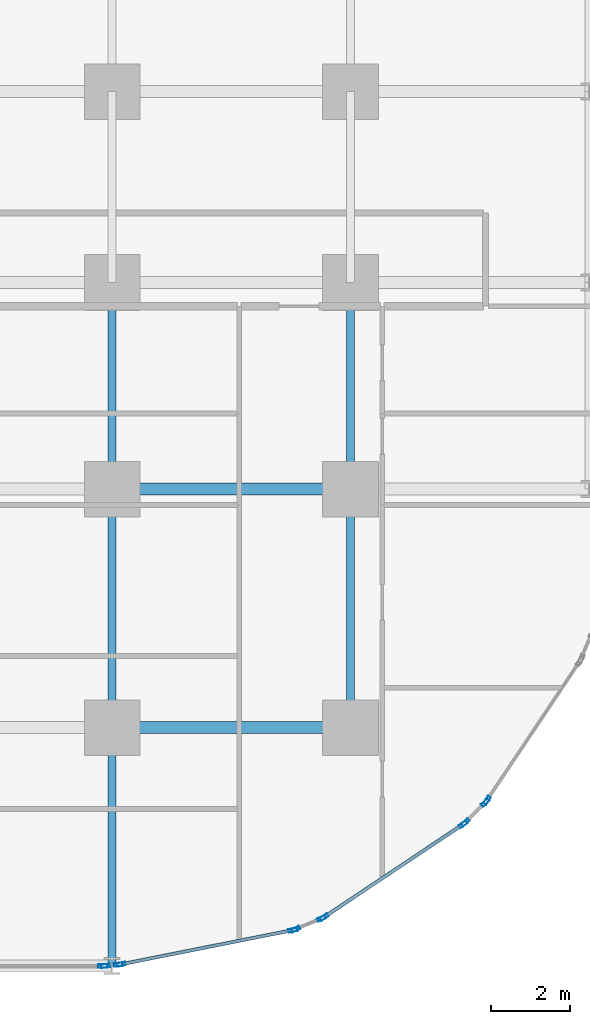
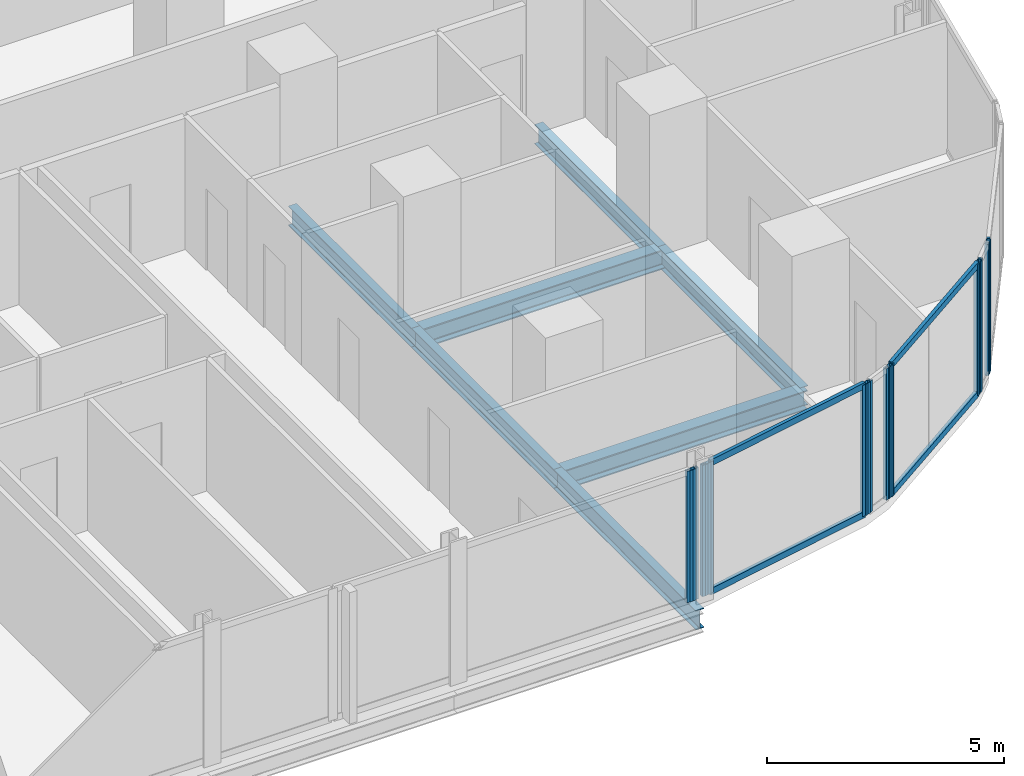
# One storey, part 9 of 34: 16 members, 7 beams, 7 elements without a shape of their own.
"""IFC4 building model written with IfcOpenShell, lengths in metres."""

import ifcopenshell
import ifcopenshell.guid

model = None  # the IFC model being written
_history = None  # IfcOwnerHistory: only IFC2X3 demands one
_inside = {}  # id of a spatial element -> (the spatial element, [elements in it])
_under = {}  # id of a project, library or spatial element -> (it, [spatial elements below it])
_declared = {}  # id of a project -> (the project, [libraries it declares])
_typed = {}  # id of a type object -> (the type object, [elements of that type])
_made_of = {}  # id of a material, layer set ... -> (it, [elements and type objects made of it])


def new_model(schema):
    """Start an empty IFC model of exactly this schema.

    Asked for "IFC4X3", IfcOpenShell would pick the latest addendum, in which some entities
    have other attributes; the version numbers below select the first issue.
    IFC2X3 requires an IfcOwnerHistory on every rooted entity: one is made here for all.
    """
    global model, _history
    if schema == "IFC4X3":
        model = ifcopenshell.file(schema_version=(4, 3, 0, 0))
    else:
        model = ifcopenshell.file(schema=schema)
    _inside.clear()
    _under.clear()
    _declared.clear()
    _typed.clear()
    _made_of.clear()
    _history = None
    if model.schema == "IFC2X3":
        org = make("IfcOrganization", Name="unknown")
        user = make(
            "IfcPersonAndOrganization",
            ThePerson=make("IfcPerson", FamilyName="unknown"),
            TheOrganization=org,
        )
        app = make(
            "IfcApplication",
            ApplicationDeveloper=org,
            Version="unknown",
            ApplicationFullName="unknown",
            ApplicationIdentifier="unknown",
        )
        _history = make(
            "IfcOwnerHistory",
            OwningUser=user,
            OwningApplication=app,
            ChangeAction="ADDED",
            CreationDate=0,
        )
    return model


def make(cls, **values):
    """One entity of the class cls with the attributes given. An attribute that is None is left unset."""
    return model.create_entity(
        cls, **{name: value for name, value in values.items() if value is not None}
    )


def rooted(cls, **values):
    """An entity with a GlobalId (a new one), such as an element, a storey or a relation."""
    return make(cls, GlobalId=ifcopenshell.guid.new(), OwnerHistory=_history, **values)


def si_unit(unit_type, name, prefix=None):
    """IfcSIUnit, for example si_unit("LENGTHUNIT", "METRE", prefix="MILLI")."""
    return make("IfcSIUnit", UnitType=unit_type, Prefix=prefix, Name=name)


def assignment(units):
    """IfcUnitAssignment: the units of a project."""
    return None if units is None else make("IfcUnitAssignment", Units=units)


def point(xyz):
    """IfcCartesianPoint."""
    return None if xyz is None else make("IfcCartesianPoint", Coordinates=xyz)


def direction(xyz):
    """IfcDirection."""
    return None if xyz is None else make("IfcDirection", DirectionRatios=xyz)


def frame(location, z_axis=None, x_axis=None):
    """IfcAxis2Placement3D, a coordinate frame: its origin and axes. An axis left out is left unset."""
    return make(
        "IfcAxis2Placement3D",
        Location=point(location),
        Axis=direction(z_axis),
        RefDirection=direction(x_axis),
    )


def frame_2d(location, x_axis=None):
    """IfcAxis2Placement2D, a coordinate frame in the plane: its origin and x axis."""
    return make(
        "IfcAxis2Placement2D", Location=point(location), RefDirection=direction(x_axis)
    )


def origin():
    """The frame at (0, 0, 0) with its axes left unset."""
    return frame((0.0, 0.0, 0.0))


def origin_2d():
    """The frame at (0, 0) in the plane with its x axis left unset."""
    return frame_2d((0.0, 0.0))


def place(relative_to, where):
    """IfcLocalPlacement: puts the frame where relative to a parent placement (None: the world)."""
    return make(
        "IfcLocalPlacement", PlacementRelTo=relative_to, RelativePlacement=where
    )


def context(
    kind, dimensions, precision=None, world=None, true_north=None, identifier=None
):
    """IfcGeometricRepresentationContext, for example the 3D "Model" context."""
    return make(
        "IfcGeometricRepresentationContext",
        ContextIdentifier=identifier,
        ContextType=kind,
        CoordinateSpaceDimension=dimensions,
        Precision=precision,
        WorldCoordinateSystem=world,
        TrueNorth=true_north,
    )


def subcontext(parent, identifier, kind, view, scale=None):
    """IfcGeometricRepresentationSubContext, for example "Body" below "Model"."""
    return make(
        "IfcGeometricRepresentationSubContext",
        ContextIdentifier=identifier,
        ContextType=kind,
        ParentContext=parent,
        TargetScale=scale,
        TargetView=view,
    )


def project(units=None, contexts=None):
    """IfcProject with its units and contexts."""
    return rooted(
        "IfcProject",
        Name="project",
        RepresentationContexts=contexts,
        UnitsInContext=assignment(units),
    )


def spatial(cls, under=None, at=None, **own):
    """A site, building, storey or space (cls), placed at a placement, below another one or the project."""
    s = rooted(cls, ObjectPlacement=at, **own)
    if under is not None:
        _under.setdefault(under.id(), (under, []))[1].append(s)
    return s


def profile(cls, at=None, kind="AREA", **sizes):
    """A parametric profile (cls). Its sizes go by their IFC names, for example OverallWidth=200.0."""
    return make(cls, ProfileType=kind, Position=at, **sizes)


def hollow_rectangle(**sizes):
    """IfcRectangleHollowProfileDef."""
    return profile("IfcRectangleHollowProfileDef", **sizes)


def i_section(**sizes):
    """IfcIShapeProfileDef."""
    return profile("IfcIShapeProfileDef", **sizes)


def extrude(swept, where, along, depth):
    """IfcExtrudedAreaSolid: the profile swept, set in the frame where, extruded along a direction by depth."""
    return make(
        "IfcExtrudedAreaSolid",
        SweptArea=swept,
        Position=where,
        ExtrudedDirection=direction(along),
        Depth=depth,
    )


def shape(context_of_items, identifier, shape_type, items):
    """IfcShapeRepresentation: the items that make up one representation, for example the "Body"."""
    return make(
        "IfcShapeRepresentation",
        ContextOfItems=context_of_items,
        RepresentationIdentifier=identifier,
        RepresentationType=shape_type,
        Items=items,
    )


def material(Name=None, Category=None):
    """IfcMaterial."""
    return make("IfcMaterial", Name=Name, Category=Category)


def layer(
    of_material, thickness, ventilated=None, Name=None, Category=None, Priority=None
):
    """IfcMaterialLayer: one layer of a wall or slab, of a material (None: an air gap)."""
    return make(
        "IfcMaterialLayer",
        Material=of_material,
        LayerThickness=thickness,
        IsVentilated=ventilated,
        Name=Name,
        Category=Category,
        Priority=Priority,
    )


def layer_set(layers, Name=None):
    """IfcMaterialLayerSet."""
    return make("IfcMaterialLayerSet", MaterialLayers=layers, LayerSetName=Name)


def material_profile(
    of_material, cross_section, Name=None, Category=None, Priority=None
):
    """IfcMaterialProfile: a cross section and its material."""
    return make(
        "IfcMaterialProfile",
        Name=Name,
        Material=of_material,
        Profile=cross_section,
        Priority=Priority,
        Category=Category,
    )


def profile_set(profiles, Name=None, composite=None):
    """IfcMaterialProfileSet."""
    return make(
        "IfcMaterialProfileSet",
        Name=Name,
        MaterialProfiles=profiles,
        CompositeProfile=composite,
    )


def made_of(thing, what):
    """Note that an element or type object is made of a material, layer set ...; save() writes the relation."""
    if what is not None:
        _made_of.setdefault(what.id(), (what, []))[1].append(thing)
    return thing


def type_object(cls, material=None, **own):
    """A type object (cls), such as IfcWallType, which elements share."""
    return made_of(rooted(cls, **own), material)


def element(
    cls,
    number,
    at=None,
    inside=None,
    cuts=None,
    type_object=None,
    material=None,
    context=None,
    identifier="Body",
    shape_type=None,
    held_by="IfcProductDefinitionShape",
    body=None,
    shapes=None,
    **own,
):
    """One element of the class cls, such as IfcWall. Its Tag is "e" and its number.

    at: its placement. inside: the storey or other place that contains it. cuts: it is an
    opening in that element (IfcRelVoidsElement). A single representation is given by context,
    identifier, shape_type and body (its items); several are given by shapes. held_by: the class
    of the entity that holds the representations. save() writes the other relations.
    """
    e = rooted(cls, Tag="e%d" % number, ObjectPlacement=at, **own)
    if body is not None:
        shapes = [shape(context, identifier, shape_type, body)]
    if shapes is not None:
        e.Representation = make(held_by, Representations=shapes)
    if inside is not None:
        _inside.setdefault(inside.id(), (inside, []))[1].append(e)
    if cuts is not None:
        rooted(
            "IfcRelVoidsElement", RelatingBuildingElement=cuts, RelatedOpeningElement=e
        )
    if type_object is not None:
        _typed.setdefault(type_object.id(), (type_object, []))[1].append(e)
    return made_of(e, material)


def aggregate(whole, parts):
    """IfcRelAggregates: a whole, such as a stair, and the parts it consists of."""
    return rooted("IfcRelAggregates", RelatingObject=whole, RelatedObjects=parts)


def save(model, path):
    """Write the relations noted so far, then the file.

    IfcRelAggregates (storeys below a building ...), IfcRelContainedInSpatialStructure (elements
    in a storey), IfcRelDefinesByType, IfcRelAssociatesMaterial and IfcRelDeclares: one each for
    every whole, place, type object, material and project.
    """
    for whole, parts in _under.values():
        aggregate(whole, parts)
    for where, things in _inside.values():
        rooted(
            "IfcRelContainedInSpatialStructure",
            RelatedElements=things,
            RelatingStructure=where,
        )
    for kind, things in _typed.values():
        rooted("IfcRelDefinesByType", RelatedObjects=things, RelatingType=kind)
    for what, things in _made_of.values():
        rooted("IfcRelAssociatesMaterial", RelatedObjects=things, RelatingMaterial=what)
    for by, libraries in _declared.values():
        rooted("IfcRelDeclares", RelatingContext=by, RelatedDefinitions=libraries)
    model.write(path)


model = new_model("IFC4")

# Units and contexts
model_context = context("Model", 3, precision=1e-05, world=origin(), true_north=direction((0.0, 1.0)))
body_context = subcontext(model_context, "Body", "Model", "MODEL_VIEW")
ifc_project = project(units=[si_unit("LENGTHUNIT", "METRE"), si_unit("AREAUNIT", "SQUARE_METRE"), si_unit("VOLUMEUNIT", "CUBIC_METRE"), si_unit("PLANEANGLEUNIT", "RADIAN"), si_unit("MASSUNIT", "GRAM", prefix="KILO")], contexts=[model_context])

# Site, building, storey
site_placement = place(None, origin())
site = spatial("IfcSite", under=ifc_project, at=site_placement, CompositionType="ELEMENT")
building_placement = place(site_placement, origin())
building = spatial("IfcBuilding", under=site, at=building_placement, Name="Keshet Zoharim Tower", CompositionType="ELEMENT")
storey_placement = place(building_placement, frame((0.0, 0.0, 31.39990234375)))
storey = spatial("IfcBuildingStorey", under=building, at=storey_placement, Name="L06", CompositionType="ELEMENT", Elevation=31.39990234375)

# Beams
ifc_material_1 = material(Name="Steel S355", Category="steel")
ifc_material_profile_1 = material_profile(ifc_material_1, i_section(OverallWidth=0.199951171875, OverallDepth=0.5, WebThickness=0.01025390625, FlangeThickness=0.01611328125, FilletRadius=0.02099609375, at=origin_2d()), Name="IPE500")
ifc_profile_set_1 = profile_set([ifc_material_profile_1], Name="Steel S355")
beam_type_1 = type_object("IfcBeamType", Name="BM-PRI-IP500", PredefinedType="BEAM", material=ifc_profile_set_1)
for number, where, z_axis, x_axis, name in (
    (1, (57.0, 0.699951171875, -0.56494140625), (0.0, 1.0, 0.0), (-1.0, 0.0, 0.0), "L06 Primary Girder Y-013"),
    (2, (57.0, 6.699951171875, -0.56494140625), (0.0, 1.0, 0.0), (-1.0, 0.0, 0.0), "L06 Primary Girder Y-014"),
):
    element("IfcBeam", number, at=place(storey_placement, frame(where, z_axis=z_axis, x_axis=x_axis)), inside=storey, type_object=beam_type_1, Name=name, PredefinedType="BEAM", context=body_context, shape_type="SweptSolid", body=[
        extrude(i_section(OverallWidth=0.199951171875, OverallDepth=0.5, WebThickness=0.01025390625, FlangeThickness=0.01611328125, FilletRadius=0.02099609375, at=origin_2d()), origin(), (0.0, 0.0, 1.0), 6.0),
    ])
beam_1_placement = place(storey_placement, frame((57.0, 12.699951171875, -0.56494140625), z_axis=(0.0, 1.0, 0.0), x_axis=(-1.0, 0.0, 0.0)))
element("IfcBeam", 3, at=beam_1_placement, inside=storey, type_object=beam_type_1, Name="L06 Primary Girder Y-015", PredefinedType="BEAM", context=body_context, shape_type="SweptSolid", body=[
    extrude(i_section(OverallWidth=0.199951171875, OverallDepth=0.5, WebThickness=0.01025390625, FlangeThickness=0.01611328125, FilletRadius=0.02099609375, at=origin_2d()), origin(), (0.0, 0.0, 1.0), 5.199951171875),
])
beam_2_placement = place(storey_placement, frame((63.0, 6.699951171875, -0.56494140625), z_axis=(0.0, 1.0, 0.0), x_axis=(-1.0, 0.0, 0.0)))
element("IfcBeam", 4, at=beam_2_placement, inside=storey, type_object=beam_type_1, Name="L06 Primary Girder Y-018", PredefinedType="BEAM", context=body_context, shape_type="SweptSolid", body=[
    extrude(i_section(OverallWidth=0.199951171875, OverallDepth=0.5, WebThickness=0.01025390625, FlangeThickness=0.01611328125, FilletRadius=0.02099609375, at=origin_2d()), origin(), (0.0, 0.0, 1.0), 6.0),
])
beam_3_placement = place(storey_placement, frame((63.0, 12.699951171875, -0.56494140625), z_axis=(0.0, 1.0, 0.0), x_axis=(-1.0, 0.0, 0.0)))
element("IfcBeam", 5, at=beam_3_placement, inside=storey, type_object=beam_type_1, Name="L06 Primary Girder Y-019", PredefinedType="BEAM", context=body_context, shape_type="SweptSolid", body=[
    extrude(i_section(OverallWidth=0.199951171875, OverallDepth=0.5, WebThickness=0.01025390625, FlangeThickness=0.01611328125, FilletRadius=0.02099609375, at=origin_2d()), origin(), (0.0, 0.0, 1.0), 5.199951171875),
])
ifc_material_profile_2 = material_profile(ifc_material_1, i_section(OverallWidth=0.300048828125, OverallDepth=0.5, WebThickness=0.014404296875, FlangeThickness=0.028076171875, FilletRadius=0.027099609375, at=origin_2d()), Name="HEB500")
ifc_profile_set_2 = profile_set([ifc_material_profile_2], Name="Steel S355")
beam_type_2 = type_object("IfcBeamType", Name="BM-WEB-HB500", PredefinedType="BEAM", material=ifc_profile_set_2)
for number, where, z_axis, x_axis, name in (
    (6, (57.0, 6.699951171875, -0.56494140625), (1.0, 0.0, 0.0), (0.0, 1.0, 0.0), "L06 Primary Girder X-010"),
    (7, (57.0, 12.699951171875, -0.56494140625), (1.0, 0.0, 0.0), (0.0, 1.0, 0.0), "L06 Primary Girder X-013"),
):
    element("IfcBeam", number, at=place(storey_placement, frame(where, z_axis=z_axis, x_axis=x_axis)), inside=storey, type_object=beam_type_2, Name=name, PredefinedType="BEAM", context=body_context, shape_type="SweptSolid", body=[
        extrude(i_section(OverallWidth=0.300048828125, OverallDepth=0.5, WebThickness=0.014404296875, FlangeThickness=0.028076171875, FilletRadius=0.027099609375, at=origin_2d()), origin(), (0.0, 0.0, 1.0), 6.0),
    ])

# Curtain wall, member
ifc_material_2 = material(Name="Aluminium 6063-T6", Category="aluminium")
ifc_layer = layer(ifc_material_2, 0.179931640625)
ifc_layer_set = layer_set([ifc_layer], Name="Aluminium 6063-T6")
curtain_wall_type = type_object("IfcCurtainWallType", Name="CW-SYS-01", PredefinedType="NOTDEFINED", material=ifc_layer_set)
curtain_wall_1_placement = place(storey_placement, origin())
curtain_wall_1 = element("IfcCurtainWall", 8, at=curtain_wall_1_placement, inside=storey, type_object=curtain_wall_type, Name="L06 Unitised Curtain Wall 20", PredefinedType="NOTDEFINED")
ifc_material_profile_3 = material_profile(ifc_material_2, hollow_rectangle(XDim=0.090087890625, YDim=0.219970703125, WallThickness=0.0048828125, at=origin_2d()), Name="MUL-90x220")
ifc_profile_set_3 = profile_set([ifc_material_profile_3], Name="Aluminium 6063-T6")
member_type_1 = type_object("IfcMemberType", Name="CWM-M22", PredefinedType="MULLION", material=ifc_profile_set_3)
member_1_placement = place(storey_placement, frame((66.432373046875, 4.8671875, 0.0), z_axis=(0.0, 0.0, 1.0), x_axis=(0.831474282335, -0.555563243758, 0.0)))
member_1 = element("IfcMember", 9, at=member_1_placement, type_object=member_type_1, Name="CW-01 mullion 2", PredefinedType="MULLION", context=body_context, shape_type="SweptSolid", body=[
    extrude(hollow_rectangle(XDim=0.090087890625, YDim=0.219970703125, WallThickness=0.0048828125, at=origin_2d()), origin(), (0.0, 0.0, 1.0), 3.385009765625),
])
aggregate(curtain_wall_1, [member_1])

# Curtain wall, members
curtain_wall_2_placement = place(storey_placement, origin())
curtain_wall_2 = element("IfcCurtainWall", 10, at=curtain_wall_2_placement, inside=storey, type_object=curtain_wall_type, Name="L06 Unitised Curtain Wall 21", PredefinedType="NOTDEFINED")
member_2_placement = place(storey_placement, frame((66.38818359375, 4.813232421875, 0.0), z_axis=(0.0, 0.0, 1.0), x_axis=(0.707106781187, -0.707106781187, 0.0)))
member_2 = element("IfcMember", 11, at=member_2_placement, type_object=member_type_1, Name="CW-01 mullion 1", PredefinedType="MULLION", context=body_context, shape_type="SweptSolid", body=[
    extrude(hollow_rectangle(XDim=0.090087890625, YDim=0.219970703125, WallThickness=0.0048828125, at=origin_2d()), origin(), (0.0, 0.0, 1.0), 3.385009765625),
])
member_3_placement = place(storey_placement, frame((65.88671875, 4.311767578125, 0.0), z_axis=(0.0, 0.0, 1.0), x_axis=(0.707106781187, -0.707106781187, 0.0)))
member_3 = element("IfcMember", 12, at=member_3_placement, type_object=member_type_1, Name="CW-01 mullion 2", PredefinedType="MULLION", context=body_context, shape_type="SweptSolid", body=[
    extrude(hollow_rectangle(XDim=0.090087890625, YDim=0.219970703125, WallThickness=0.0048828125, at=origin_2d()), origin(), (0.0, 0.0, 1.0), 3.385009765625),
])
aggregate(curtain_wall_2, [member_2, member_3])

curtain_wall_3_placement = place(storey_placement, origin())
curtain_wall_3 = element("IfcCurtainWall", 13, at=curtain_wall_3_placement, inside=storey, type_object=curtain_wall_type, Name="L06 Unitised Curtain Wall 22", PredefinedType="NOTDEFINED")
member_4_placement = place(storey_placement, frame((65.8330078125, 4.267578125, 0.0), z_axis=(0.0, 0.0, 1.0), x_axis=(0.555563243758, -0.831474282335, 0.0)))
member_4 = element("IfcMember", 14, at=member_4_placement, type_object=member_type_1, Name="CW-01 mullion 1", PredefinedType="MULLION", context=body_context, shape_type="SweptSolid", body=[
    extrude(hollow_rectangle(XDim=0.090087890625, YDim=0.219970703125, WallThickness=0.0048828125, at=origin_2d()), origin(), (0.0, 0.0, 1.0), 3.385009765625),
])
member_5_placement = place(storey_placement, frame((62.335205078125, 1.930419921875, 0.0), z_axis=(0.0, 0.0, 1.0), x_axis=(0.555563243758, -0.831474282335, 0.0)))
member_5 = element("IfcMember", 15, at=member_5_placement, type_object=member_type_1, Name="CW-01 mullion 2", PredefinedType="MULLION", context=body_context, shape_type="SweptSolid", body=[
    extrude(hollow_rectangle(XDim=0.090087890625, YDim=0.219970703125, WallThickness=0.0048828125, at=origin_2d()), origin(), (0.0, 0.0, 1.0), 3.385009765625),
])

curtain_wall_4_placement = place(storey_placement, origin())
curtain_wall_4 = element("IfcCurtainWall", 16, at=curtain_wall_4_placement, inside=storey, type_object=curtain_wall_type, Name="L06 Unitised Curtain Wall 23", PredefinedType="NOTDEFINED")
member_6_placement = place(storey_placement, frame((62.273681640625, 1.897705078125, 0.0), z_axis=(0.0, 0.0, 1.0), x_axis=(0.383068349739, -0.923720000557, 0.0)))
member_6 = element("IfcMember", 17, at=member_6_placement, type_object=member_type_1, Name="CW-01 mullion 1", PredefinedType="MULLION", context=body_context, shape_type="SweptSolid", body=[
    extrude(hollow_rectangle(XDim=0.090087890625, YDim=0.219970703125, WallThickness=0.0048828125, at=origin_2d()), origin(), (0.0, 0.0, 1.0), 3.385009765625),
])
member_7_placement = place(storey_placement, frame((61.617431640625, 1.62548828125, 0.0), z_axis=(0.0, 0.0, 1.0), x_axis=(0.383068349739, -0.923720000557, 0.0)))
member_7 = element("IfcMember", 18, at=member_7_placement, type_object=member_type_1, Name="CW-01 mullion 2", PredefinedType="MULLION", context=body_context, shape_type="SweptSolid", body=[
    extrude(hollow_rectangle(XDim=0.090087890625, YDim=0.219970703125, WallThickness=0.0048828125, at=origin_2d()), origin(), (0.0, 0.0, 1.0), 3.385009765625),
])
aggregate(curtain_wall_4, [member_6, member_7])

curtain_wall_5_placement = place(storey_placement, origin())
curtain_wall_5 = element("IfcCurtainWall", 19, at=curtain_wall_5_placement, inside=storey, type_object=curtain_wall_type, Name="L06 Unitised Curtain Wall 24", PredefinedType="NOTDEFINED")
member_8_placement = place(storey_placement, frame((61.55078125, 1.605224609375, 0.0), z_axis=(0.0, 0.0, 1.0), x_axis=(0.195171279072, -0.98076917357, 0.0)))
member_8 = element("IfcMember", 20, at=member_8_placement, type_object=member_type_1, Name="CW-01 mullion 1", PredefinedType="MULLION", context=body_context, shape_type="SweptSolid", body=[
    extrude(hollow_rectangle(XDim=0.090087890625, YDim=0.219970703125, WallThickness=0.0048828125, at=origin_2d()), origin(), (0.0, 0.0, 1.0), 3.385009765625),
])
member_9_placement = place(storey_placement, frame((57.227294921875, 0.744873046875, 0.0), z_axis=(0.0, 0.0, 1.0), x_axis=(0.195171279072, -0.98076917357, 0.0)))
member_9 = element("IfcMember", 21, at=member_9_placement, type_object=member_type_1, Name="CW-01 mullion 2", PredefinedType="MULLION", context=body_context, shape_type="SweptSolid", body=[
    extrude(hollow_rectangle(XDim=0.090087890625, YDim=0.219970703125, WallThickness=0.0048828125, at=origin_2d()), origin(), (0.0, 0.0, 1.0), 3.385009765625),
])

curtain_wall_6_placement = place(storey_placement, origin())
curtain_wall_6 = element("IfcCurtainWall", 22, at=curtain_wall_6_placement, inside=storey, type_object=curtain_wall_type, Name="L06 Unitised Curtain Wall 25", PredefinedType="NOTDEFINED")
member_10_placement = place(storey_placement, frame((57.158203125, 0.734619140625, 0.0), z_axis=(0.0, 0.0, 1.0), x_axis=(0.096976648633, -0.995286657009, 0.0)))
member_10 = element("IfcMember", 23, at=member_10_placement, type_object=member_type_1, Name="CW-01 mullion 1", PredefinedType="MULLION", context=body_context, shape_type="SweptSolid", body=[
    extrude(hollow_rectangle(XDim=0.090087890625, YDim=0.219970703125, WallThickness=0.0048828125, at=origin_2d()), origin(), (0.0, 0.0, 1.0), 3.385009765625),
])
member_11_placement = place(storey_placement, frame((56.837890625, 0.703369140625, 0.0), z_axis=(0.0, 0.0, 1.0), x_axis=(0.096976648633, -0.995286657009, 0.0)))
member_11 = element("IfcMember", 24, at=member_11_placement, type_object=member_type_1, Name="CW-01 mullion 2", PredefinedType="MULLION", context=body_context, shape_type="SweptSolid", body=[
    extrude(hollow_rectangle(XDim=0.090087890625, YDim=0.219970703125, WallThickness=0.0048828125, at=origin_2d()), origin(), (0.0, 0.0, 1.0), 3.385009765625),
])
aggregate(curtain_wall_6, [member_10, member_11])

# Curtain wall, member
curtain_wall_7_placement = place(storey_placement, origin())
curtain_wall_7 = element("IfcCurtainWall", 25, at=curtain_wall_7_placement, inside=storey, type_object=curtain_wall_type, Name="L06 Unitised Curtain Wall 26", PredefinedType="NOTDEFINED")
member_12_placement = place(storey_placement, frame((56.76806640625, 0.699951171875, 0.0), z_axis=(0.0, 0.0, 1.0), x_axis=(0.0, -1.0, 0.0)))
member_12 = element("IfcMember", 26, at=member_12_placement, type_object=member_type_1, Name="CW-01 mullion 1", PredefinedType="MULLION", context=body_context, shape_type="SweptSolid", body=[
    extrude(hollow_rectangle(XDim=0.090087890625, YDim=0.219970703125, WallThickness=0.0048828125, at=origin_2d()), origin(), (0.0, 0.0, 1.0), 3.385009765625),
])
aggregate(curtain_wall_7, [member_12])

# Member
ifc_material_profile_4 = material_profile(ifc_material_2, hollow_rectangle(XDim=0.0849609375, YDim=0.159912109375, WallThickness=0.00439453125, at=origin_2d()), Name="TRN-85x160")
ifc_profile_set_4 = profile_set([ifc_material_profile_4], Name="Aluminium 6063-T6")
member_type_2 = type_object("IfcMemberType", Name="CWT-T16", PredefinedType="USERDEFINED", material=ifc_profile_set_4)
member_13_placement = place(storey_placement, frame((65.8037109375, 4.248046875, 0.03515625), z_axis=(-0.831477809106, -0.55555796544, 0.0), x_axis=(0.55555796544, -0.831477809106, 0.0)))
member_13 = element("IfcMember", 27, at=member_13_placement, type_object=member_type_2, Name="CW-01 transom 1.1", ObjectType="TRANSOM", PredefinedType="USERDEFINED", context=body_context, shape_type="SweptSolid", body=[
    extrude(hollow_rectangle(XDim=0.0849609375, YDim=0.159912109375, WallThickness=0.00439453125, at=origin_2d()), origin(), (0.0, 0.0, 1.0), 4.136474609375),
])

member_14_placement = place(storey_placement, frame((65.8037109375, 4.248046875, 3.35009765625), z_axis=(-0.831477809106, -0.55555796544, 0.0), x_axis=(0.55555796544, -0.831477809106, 0.0)))
member_14 = element("IfcMember", 28, at=member_14_placement, type_object=member_type_2, Name="CW-01 transom 1.2", ObjectType="TRANSOM", PredefinedType="USERDEFINED", context=body_context, shape_type="SweptSolid", body=[
    extrude(hollow_rectangle(XDim=0.0849609375, YDim=0.159912109375, WallThickness=0.00439453125, at=origin_2d()), origin(), (0.0, 0.0, 1.0), 4.136474609375),
])

aggregate(curtain_wall_3, [member_4, member_5, member_13, member_14])

member_15_placement = place(storey_placement, frame((61.516357421875, 1.598388671875, 0.03515625), z_axis=(-0.980768540739, -0.195174459131, 0.0), x_axis=(0.195174459131, -0.980768540739, 0.0)))
member_15 = element("IfcMember", 29, at=member_15_placement, type_object=member_type_2, Name="CW-01 transom 1.1", ObjectType="TRANSOM", PredefinedType="USERDEFINED", context=body_context, shape_type="SweptSolid", body=[
    extrude(hollow_rectangle(XDim=0.0849609375, YDim=0.159912109375, WallThickness=0.00439453125, at=origin_2d()), origin(), (0.0, 0.0, 1.0), 4.338134765625),
])

member_16_placement = place(storey_placement, frame((61.516357421875, 1.598388671875, 3.35009765625), z_axis=(-0.980768540739, -0.195174459131, 0.0), x_axis=(0.195174459131, -0.980768540739, 0.0)))
member_16 = element("IfcMember", 30, at=member_16_placement, type_object=member_type_2, Name="CW-01 transom 1.2", ObjectType="TRANSOM", PredefinedType="USERDEFINED", context=body_context, shape_type="SweptSolid", body=[
    extrude(hollow_rectangle(XDim=0.0849609375, YDim=0.159912109375, WallThickness=0.00439453125, at=origin_2d()), origin(), (0.0, 0.0, 1.0), 4.338134765625),
])

aggregate(curtain_wall_5, [member_8, member_9, member_15, member_16])

save(model, "model.ifc")
